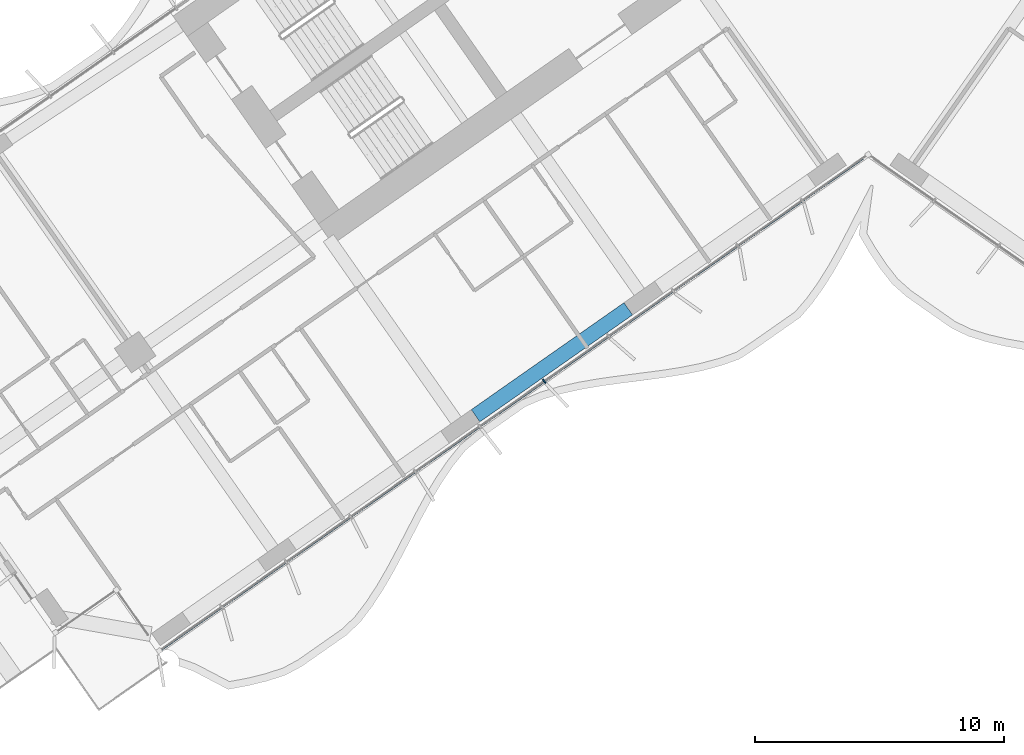
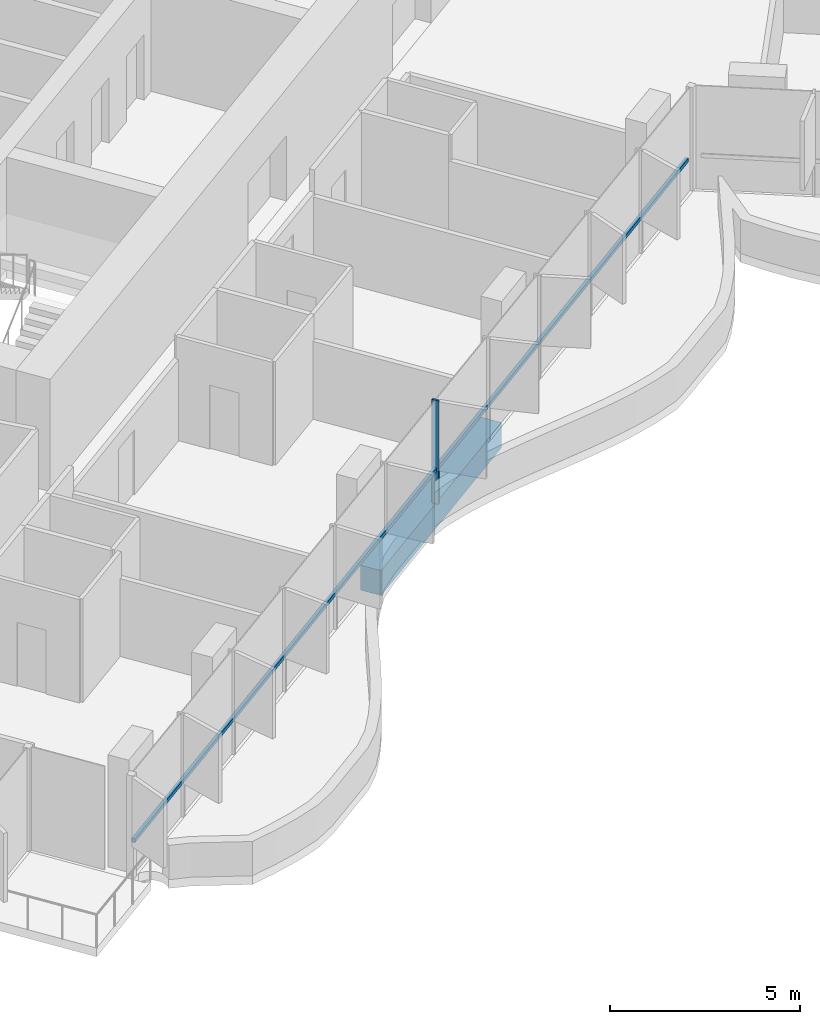
# One storey, part 3 of 25: 2 members, 1 beam, 1 element without a shape of its own.
"""IFC4 building model written with IfcOpenShell, lengths in metres."""

from ifc_helpers import new_model, si_unit, direction, frame, origin, origin_2d, place, context, subcontext, project, spatial, rectangle, extrude, material, material_profile, profile_set, type_object, element, aggregate, save


model = new_model("IFC4")

# Units and contexts
model_context = context("Model", 3, precision=1e-05, world=origin(), true_north=direction((0.0, 1.0)))
body_context = subcontext(model_context, "Body", "Model", "MODEL_VIEW")
ifc_project = project(units=[si_unit("LENGTHUNIT", "METRE"), si_unit("AREAUNIT", "SQUARE_METRE"), si_unit("VOLUMEUNIT", "CUBIC_METRE"), si_unit("PLANEANGLEUNIT", "RADIAN"), si_unit("MASSUNIT", "GRAM", prefix="KILO")], contexts=[model_context])

# Site, building, storey
site_placement = place(None, origin())
site = spatial("IfcSite", under=ifc_project, at=site_placement, CompositionType="ELEMENT")
building_placement = place(site_placement, origin())
building = spatial("IfcBuilding", under=site, at=building_placement, Name="Tel Ilan Convention Tower", CompositionType="ELEMENT")
storey_placement = place(building_placement, frame((0.0, 0.0, 97.699951171875)))
storey = spatial("IfcBuildingStorey", under=building, at=storey_placement, Name="L20", CompositionType="ELEMENT", Elevation=97.699951171875)

# Beam
ifc_material_1 = material(Name="Concrete C40/50", Category="concrete")
ifc_material_profile_1 = material_profile(ifc_material_1, rectangle(XDim=0.60009765625, YDim=0.800048828125, at=origin_2d()), Name="RC 600x800")
ifc_profile_set_1 = profile_set([ifc_material_profile_1], Name="Concrete C40/50")
beam_type = type_object("IfcBeamType", Name="Beam RC 600x800 Concrete C40/50", PredefinedType="BEAM", material=ifc_profile_set_1)
beam_placement = place(storey_placement, frame((-9.652099609375, -18.905029296875, -0.679931640625), z_axis=(-0.81915238829, -0.573575945067, 0.0), x_axis=(0.573575945067, -0.81915238829, 0.0)))
element("IfcBeam", 1, at=beam_placement, inside=storey, type_object=beam_type, Name="L20 beam W-W-F2-W-F3", PredefinedType="BEAM", context=body_context, shape_type="SweptSolid", body=[
    extrude(rectangle(XDim=0.60009765625, YDim=0.800048828125, at=origin_2d()), origin(), (0.0, 0.0, 1.0), 7.5),
])

# Curtain wall, members
ifc_material_2 = material(Name="Aluminium, bronze anodised", Category="aluminium")
curtain_wall_type = type_object("IfcCurtainWallType", Name="CW1 UNITISED CURTAIN WALL, HOTEL TINTED GLASS", PredefinedType="NOTDEFINED", material=ifc_material_2)
curtain_wall_placement = place(storey_placement, origin())
curtain_wall = element("IfcCurtainWall", 2, at=curtain_wall_placement, inside=storey, type_object=curtain_wall_type, Name="Curtain wall CW1-18.06", PredefinedType="NOTDEFINED")
ifc_material_3 = material(Name="Aluminium, bronze anodised", Category="aluminium")
ifc_material_profile_2 = material_profile(ifc_material_3, rectangle(XDim=0.06005859375, YDim=0.199951171875, at=origin_2d()), Name="CW MULLION 60x200")
ifc_profile_set_2 = profile_set([ifc_material_profile_2], Name="Aluminium, bronze anodised")
member_type_1 = type_object("IfcMemberType", Name="CW MULLION 60x200", PredefinedType="MULLION", material=ifc_profile_set_2)
member_1_placement = place(storey_placement, frame((-13.03271484375, -21.821533203125, 0.0), z_axis=(0.0, 0.0, 1.0), x_axis=(0.819152044289, 0.573576436351, 0.0)))
member_1 = element("IfcMember", 3, at=member_1_placement, type_object=member_type_1, Name="Mullion", PredefinedType="MULLION", context=body_context, shape_type="SweptSolid", body=[
    extrude(rectangle(XDim=0.06005859375, YDim=0.199951171875, at=origin_2d()), origin(), (0.0, 0.0, 1.0), 3.320068359375),
])
ifc_material_4 = material(Name="Aluminium, bronze anodised", Category="aluminium")
ifc_material_profile_3 = material_profile(ifc_material_4, rectangle(XDim=0.10009765625, YDim=0.1201171875, at=origin_2d()), Name="CW TRANSOM 100x120")
ifc_profile_set_3 = profile_set([ifc_material_profile_3], Name="Aluminium, bronze anodised")
member_type_2 = type_object("IfcMemberType", Name="CW TRANSOM 100x120", PredefinedType="USERDEFINED", material=ifc_profile_set_3)
member_2_placement = place(storey_placement, frame((-28.439208984375, -32.609375, 1.10009765625), z_axis=(0.819151003602, 0.573577922604, 0.0), x_axis=(-0.573577922604, 0.819151003602, 0.0)))
member_2 = element("IfcMember", 4, at=member_2_placement, type_object=member_type_2, Name="Transom", ObjectType="TRANSOM", PredefinedType="USERDEFINED", context=body_context, shape_type="SweptSolid", body=[
    extrude(rectangle(XDim=0.10009765625, YDim=0.1201171875, at=origin_2d()), origin(), (0.0, 0.0, 1.0), 34.447998046875),
])
aggregate(curtain_wall, [member_1, member_2])

save(model, "model.ifc")
